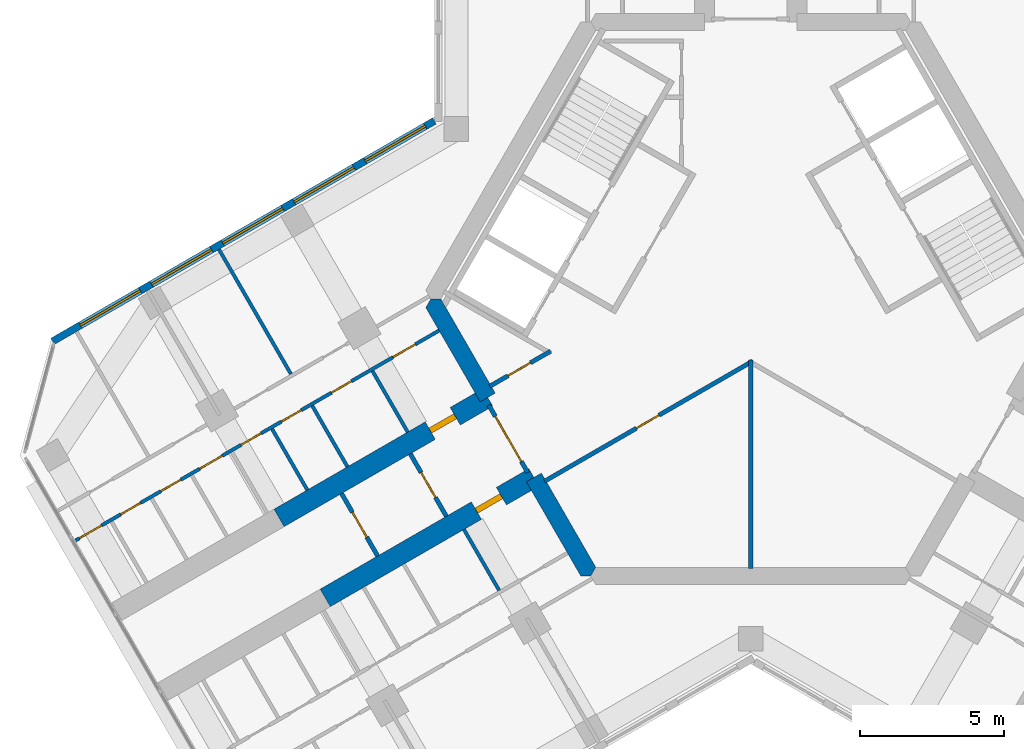
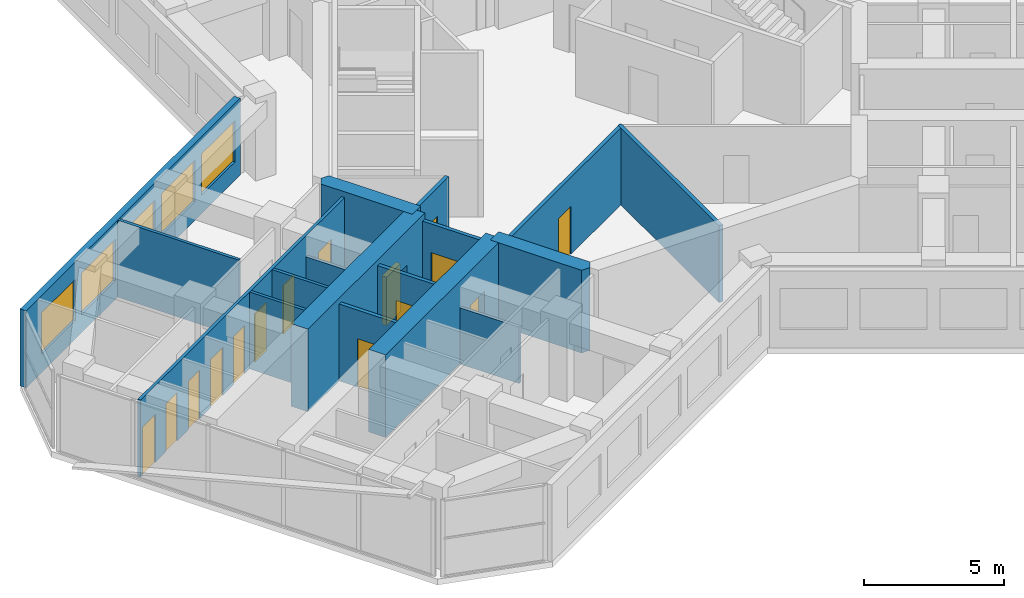
# One storey, part 9 of 16: 17 walls, 15 doors, 5 windows, 20 openings.
"""IFC4 building model written with IfcOpenShell, lengths in metres."""

from ifc_helpers import new_model, si_unit, direction, frame, frame_2d, origin, place, context, subcontext, project, spatial, polyline, rectangle, outline, extrude, material, layer, layer_set, type_object, element, fill, save


model = new_model("IFC4")

# Units and contexts
model_context = context("Model", 3, precision=1e-05, world=origin(), true_north=direction((0.0, 1.0)))
body_context = subcontext(model_context, "Body", "Model", "MODEL_VIEW")
ifc_project = project(units=[si_unit("LENGTHUNIT", "METRE"), si_unit("AREAUNIT", "SQUARE_METRE"), si_unit("VOLUMEUNIT", "CUBIC_METRE"), si_unit("PLANEANGLEUNIT", "RADIAN"), si_unit("MASSUNIT", "GRAM", prefix="KILO")], contexts=[model_context])

# Site, building, storey
site_placement = place(None, origin())
site = spatial("IfcSite", under=ifc_project, at=site_placement, CompositionType="ELEMENT")
building_placement = place(site_placement, origin())
building = spatial("IfcBuilding", under=site, at=building_placement, Name="Kosmar Iwan School Tower", CompositionType="ELEMENT")
storey_placement = place(building_placement, frame((0.0, 0.0, 246.0)))
storey = spatial("IfcBuildingStorey", under=building, at=storey_placement, Name="L62", CompositionType="ELEMENT", Elevation=246.0)

# Wall
ifc_material_1 = material(Name="Gypsum board on steel studs, fire-rated", Category="steel")
ifc_layer_1 = layer(ifc_material_1, 0.14990234375)
ifc_layer_set_1 = layer_set([ifc_layer_1], Name="Core room partition 150")
wall_type_1 = type_object("IfcWallType", Name="Core room partition 150", PredefinedType="PARTITIONING", material=ifc_layer_set_1)
wall_1_placement = place(storey_placement, frame((0.0, -9.344970703125, 0.0), z_axis=(0.0, 0.0, 1.0), x_axis=(0.0, 1.0, 0.0)))
element("IfcWall", 1, at=wall_1_placement, inside=storey, type_object=wall_type_1, Name="Core room partition L62-CW5", PredefinedType="PARTITIONING", context=body_context, shape_type="SweptSolid", body=[
    extrude(rectangle(XDim=7.22607421875, YDim=0.14990234375, at=frame_2d((3.613037109375, 0.0))), origin(), (0.0, 0.0, 1.0), 3.35009765625),
])

# Wall, opening, door
wall_2_placement = place(storey_placement, frame((-7.14306640625, -6.31787109375, 0.0), z_axis=(0.0, 0.0, 1.0), x_axis=(0.866034159509, 0.499984834333, 0.0)))
wall_2 = element("IfcWall", 2, at=wall_2_placement, inside=storey, type_object=wall_type_1, Name="Core room partition L62-CW7", PredefinedType="PARTITIONING", context=body_context, shape_type="SweptSolid", body=[
    extrude(rectangle(XDim=8.322998046875, YDim=0.14990234375, at=frame_2d((4.16162109375, 0.0))), origin(), (0.0, 0.0, 1.0), 3.35009765625),
])
opening_1_placement = place(wall_2_placement, frame((3.677001953125, 0.0, 0.0)))
opening_1 = element("IfcOpeningElement", 3, at=opening_1_placement, cuts=wall_2, Name="Opening D14", PredefinedType="OPENING", context=body_context, shape_type="SweptSolid", body=[
    extrude(rectangle(XDim=0.89990234375, YDim=2.10009765625, at=frame_2d((0.449951171875, 1.050048828125))), frame((0.0, 0.0869140625, 0.0), z_axis=(0.0, -1.0, 0.0), x_axis=(1.0, 0.0, 0.0)), (0.0, 0.0, 1.0), 0.173828125),
])
ifc_material_2 = material(Name="Timber fire door in steel frame", Category="steel")
door_type_1 = type_object("IfcDoorType", Name="Core room door 900x2100", OperationType="SINGLE_SWING_LEFT", PredefinedType="DOOR", material=ifc_material_2)
door_1_placement = place(opening_1_placement, origin())
door_1 = element("IfcDoor", 4, at=door_1_placement, inside=storey, type_object=door_type_1, Name="Parcel room door L62 4", OperationType="SINGLE_SWING_LEFT", OverallHeight=2.10009765625, OverallWidth=0.89990234375, PredefinedType="DOOR", context=body_context, shape_type="SweptSolid", body=[
    extrude(rectangle(XDim=0.89990234375, YDim=2.10009765625, at=frame_2d((0.449951171875, 1.050048828125))), frame((0.0, 0.02490234375, 0.0), z_axis=(0.0, -1.0, 0.0), x_axis=(1.0, 0.0, 0.0)), (0.0, 0.0, 1.0), 0.050048828125),
])
fill(opening_1, door_1)

wall_3_placement = place(storey_placement, frame((-6.93505859375, -1.81005859375, 0.0), z_axis=(0.0, 0.0, 1.0), x_axis=(-0.86601855109, -0.500011869027, 0.0)))
wall_3 = element("IfcWall", 5, at=wall_3_placement, inside=storey, type_object=wall_type_1, Name="Core room partition L62-CW9", PredefinedType="PARTITIONING", context=body_context, shape_type="SweptSolid", body=[
    extrude(rectangle(XDim=2.43408203125, YDim=0.14990234375, at=frame_2d((1.217041015625, 0.0))), origin(), (0.0, 0.0, 1.0), 3.35009765625),
])
opening_2_placement = place(wall_3_placement, frame((0.802001953125, 0.0, 0.0)))
opening_2 = element("IfcOpeningElement", 6, at=opening_2_placement, cuts=wall_3, Name="Opening D14", PredefinedType="OPENING", context=body_context, shape_type="SweptSolid", body=[
    extrude(rectangle(XDim=0.89990234375, YDim=2.10009765625, at=frame_2d((0.449951171875, 1.050048828125))), frame((0.0, 0.0869140625, 0.0), z_axis=(0.0, -1.0, 0.0), x_axis=(1.0, 0.0, 0.0)), (0.0, 0.0, 1.0), 0.173828125),
])
door_2_placement = place(opening_2_placement, origin())
door_2 = element("IfcDoor", 7, at=door_2_placement, inside=storey, type_object=door_type_1, Name="Housekeeping store door L62 5", OperationType="SINGLE_SWING_RIGHT", OverallHeight=2.10009765625, OverallWidth=0.89990234375, PredefinedType="DOOR", context=body_context, shape_type="SweptSolid", body=[
    extrude(rectangle(XDim=0.89990234375, YDim=2.10009765625, at=frame_2d((0.449951171875, 1.050048828125))), frame((0.0, 0.02490234375, 0.0), z_axis=(0.0, -1.0, 0.0), x_axis=(1.0, 0.0, 0.0)), (0.0, 0.0, 1.0), 0.050048828125),
])
fill(opening_2, door_2)

# Walls
ifc_material_3 = material(Name="Concrete C50/60", Category="concrete")
ifc_layer_2 = layer(ifc_material_3, 0.60009765625)
ifc_layer_set_2 = layer_set([ifc_layer_2], Name="Core wall 600")
wall_type_2 = type_object("IfcWallType", Name="Core wall 600", PredefinedType="SHEAR", material=ifc_layer_set_2)
wall_4_placement = place(storey_placement, origin())
element("IfcWall", 8, at=wall_4_placement, inside=storey, type_object=wall_type_2, Name="Core wall F210a", PredefinedType="SHEAR", context=body_context, shape_type="SweptSolid", body=[
    extrude(outline(polyline([(-9.37353515625, -3.564453125), (-8.85400390625, -3.264404296875), (-10.73876953125, 0.0), (-11.085205078125, 0.0), (-11.25830078125, -0.300048828125), (-9.37353515625, -3.564453125)])), origin(), (0.0, 0.0, 1.0), 3.60009765625),
])
wall_5_placement = place(storey_placement, origin())
element("IfcWall", 9, at=wall_5_placement, inside=storey, type_object=wall_type_2, Name="Core wall F210b", PredefinedType="SHEAR", context=body_context, shape_type="SweptSolid", body=[
    extrude(outline(polyline([(-5.888916015625, -9.60009765625), (-5.54248046875, -9.60009765625), (-5.369384765625, -9.300048828125), (-7.254150390625, -6.03564453125), (-7.773681640625, -6.335693359375), (-5.888916015625, -9.60009765625)])), origin(), (0.0, 0.0, 1.0), 3.60009765625),
])

# Wall, opening, door
ifc_material_4 = material(Name="Concrete C50/60", Category="concrete")
ifc_layer_3 = layer(ifc_material_4, 0.699951171875)
ifc_layer_set_3 = layer_set([ifc_layer_3], Name="Corridor buttress wall 700")
wall_type_3 = type_object("IfcWallType", Name="Corridor buttress wall 700", PredefinedType="SHEAR", material=ifc_layer_set_3)
wall_6_placement = place(storey_placement, frame((-7.513916015625, -6.185546875, 0.0), z_axis=(0.0, 0.0, 1.0), x_axis=(-0.866019549707, -0.500010139422, 0.0)))
wall_6 = element("IfcWall", 10, at=wall_6_placement, inside=storey, type_object=wall_type_3, Name="Corridor wall BL", PredefinedType="SHEAR", context=body_context, shape_type="SweptSolid", body=[
    extrude(rectangle(XDim=8.349853515625, YDim=0.699951171875, at=frame_2d((4.1748046875, 0.0))), origin(), (0.0, 0.0, 1.0), 3.60009765625),
])
opening_3_placement = place(wall_6_placement, frame((1.300048828125, 0.0, 0.0)))
opening_3 = element("IfcOpeningElement", 11, at=opening_3_placement, cuts=wall_6, Name="Opening D1", PredefinedType="OPENING", context=body_context, shape_type="SweptSolid", body=[
    extrude(rectangle(XDim=1.0, YDim=2.10009765625, at=frame_2d((0.5, 1.050048828125))), frame((0.0, 0.362060546875, 0.0), z_axis=(0.0, -1.0, 0.0), x_axis=(1.0, 0.0, 0.0)), (0.0, 0.0, 1.0), 0.723876953125),
])
ifc_material_5 = material(Name="Timber fire door in steel frame", Category="steel")
door_type_2 = type_object("IfcDoorType", Name="Flat entrance door 1000x2100", OperationType="SINGLE_SWING_LEFT", PredefinedType="DOOR", material=ifc_material_5)
door_3_placement = place(opening_3_placement, origin())
door_3 = element("IfcDoor", 12, at=door_3_placement, inside=storey, type_object=door_type_2, Name="Flat L62-BL1 entrance door", OperationType="SINGLE_SWING_RIGHT", OverallHeight=2.10009765625, OverallWidth=1.0, PredefinedType="DOOR", context=body_context, shape_type="SweptSolid", body=[
    extrude(rectangle(XDim=1.0, YDim=2.10009765625, at=frame_2d((0.5, 1.050048828125))), frame((0.0, 0.10009765625, 0.0), z_axis=(0.0, -1.0, 0.0), x_axis=(1.0, 0.0, 0.0)), (0.0, 0.0, 1.0), 0.199951171875),
])
fill(opening_3, door_3)

wall_7_placement = place(storey_placement, frame((-9.11376953125, -3.414306640625, 0.0), z_axis=(0.0, 0.0, 1.0), x_axis=(-0.866026859388, -0.499997478812, 0.0)))
wall_7 = element("IfcWall", 13, at=wall_7_placement, inside=storey, type_object=wall_type_3, Name="Corridor wall BR", PredefinedType="SHEAR", context=body_context, shape_type="SweptSolid", body=[
    extrude(rectangle(XDim=8.35009765625, YDim=0.699951171875, at=frame_2d((4.175048828125, 0.0))), origin(), (0.0, 0.0, 1.0), 3.60009765625),
])
opening_4_placement = place(wall_7_placement, frame((1.300048828125, 0.0, 0.0)))
opening_4 = element("IfcOpeningElement", 14, at=opening_4_placement, cuts=wall_7, Name="Opening D1", PredefinedType="OPENING", context=body_context, shape_type="SweptSolid", body=[
    extrude(rectangle(XDim=1.0, YDim=2.10009765625, at=frame_2d((0.5, 1.050048828125))), frame((0.0, 0.362060546875, 0.0), z_axis=(0.0, -1.0, 0.0), x_axis=(1.0, 0.0, 0.0)), (0.0, 0.0, 1.0), 0.723876953125),
])
door_4_placement = place(opening_4_placement, origin())
door_4 = element("IfcDoor", 15, at=door_4_placement, inside=storey, type_object=door_type_2, Name="Flat L62-BR1 entrance door", OperationType="SINGLE_SWING_RIGHT", OverallHeight=2.10009765625, OverallWidth=1.0, PredefinedType="DOOR", context=body_context, shape_type="SweptSolid", body=[
    extrude(rectangle(XDim=1.0, YDim=2.10009765625, at=frame_2d((0.5, 1.050048828125))), frame((0.0, 0.10009765625, 0.0), z_axis=(0.0, -1.0, 0.0), x_axis=(1.0, 0.0, 0.0)), (0.0, 0.0, 1.0), 0.199951171875),
])
fill(opening_4, door_4)

ifc_material_6 = material(Name="Gypsum board on steel studs, fire-rated", Category="steel")
ifc_layer_4 = layer(ifc_material_6, 0.14990234375)
ifc_layer_set_4 = layer_set([ifc_layer_4], Name="Corridor end wall 150")
wall_type_4 = type_object("IfcWallType", Name="Corridor end wall 150", PredefinedType="PARTITIONING", material=ifc_layer_set_4)
wall_8_placement = place(storey_placement, frame((-14.17822265625, -6.742431640625, 0.0), z_axis=(0.0, 0.0, 1.0), x_axis=(0.500004234368, -0.866022959057, 0.0)))
wall_8 = element("IfcWall", 16, at=wall_8_placement, inside=storey, type_object=wall_type_4, Name="Partition L62-B-CE", PredefinedType="PARTITIONING", context=body_context, shape_type="SweptSolid", body=[
    extrude(rectangle(XDim=2.5, YDim=0.14990234375, at=frame_2d((1.25, 0.0))), origin(), (0.0, 0.0, 1.0), 3.35009765625),
])
opening_5_placement = place(wall_8_placement, frame((0.75, 0.0, 0.0)))
opening_5 = element("IfcOpeningElement", 17, at=opening_5_placement, cuts=wall_8, Name="Opening D13", PredefinedType="OPENING", context=body_context, shape_type="SweptSolid", body=[
    extrude(rectangle(XDim=1.0, YDim=2.10009765625, at=frame_2d((0.5, 1.050048828125))), frame((0.0, 0.0869140625, 0.0), z_axis=(0.0, -1.0, 0.0), x_axis=(1.0, 0.0, 0.0)), (0.0, 0.0, 1.0), 0.173828125),
])
ifc_material_7 = material(Name="Timber fire door with vision panel", Category="wood")
door_type_3 = type_object("IfcDoorType", Name="Corridor end door 1000x2100", OperationType="SINGLE_SWING_LEFT", PredefinedType="DOOR", material=ifc_material_7)
door_5_placement = place(opening_5_placement, origin())
door_5 = element("IfcDoor", 18, at=door_5_placement, inside=storey, type_object=door_type_3, Name="Hobby workshop door L62-B", OperationType="SINGLE_SWING_LEFT", OverallHeight=2.10009765625, OverallWidth=1.0, PredefinedType="DOOR", context=body_context, shape_type="SweptSolid", body=[
    extrude(rectangle(XDim=1.0, YDim=2.10009765625, at=frame_2d((0.5, 1.050048828125))), frame((0.0, 0.02490234375, 0.0), z_axis=(0.0, -1.0, 0.0), x_axis=(1.0, 0.0, 0.0)), (0.0, 0.0, 1.0), 0.050048828125),
])
fill(opening_5, door_5)

wall_9_placement = place(storey_placement, frame((-11.796630859375, -5.367431640625, 0.0), z_axis=(0.0, 0.0, 1.0), x_axis=(0.500004234368, -0.866022959057, 0.0)))
wall_9 = element("IfcWall", 19, at=wall_9_placement, inside=storey, type_object=wall_type_4, Name="Partition L62-B-HW", PredefinedType="PARTITIONING", context=body_context, shape_type="SweptSolid", body=[
    extrude(rectangle(XDim=2.5, YDim=0.14990234375, at=frame_2d((1.25, 0.0))), origin(), (0.0, 0.0, 1.0), 3.35009765625),
])
opening_6_placement = place(wall_9_placement, frame((0.75, 0.0, 0.0)))
opening_6 = element("IfcOpeningElement", 20, at=opening_6_placement, cuts=wall_9, Name="Opening D13", PredefinedType="OPENING", context=body_context, shape_type="SweptSolid", body=[
    extrude(rectangle(XDim=1.0, YDim=2.10009765625, at=frame_2d((0.5, 1.050048828125))), frame((0.0, 0.0869140625, 0.0), z_axis=(0.0, -1.0, 0.0), x_axis=(1.0, 0.0, 0.0)), (0.0, 0.0, 1.0), 0.173828125),
])
door_6_placement = place(opening_6_placement, origin())
door_6 = element("IfcDoor", 21, at=door_6_placement, inside=storey, type_object=door_type_3, Name="Entrance door L62-B", OperationType="SINGLE_SWING_RIGHT", OverallHeight=2.10009765625, OverallWidth=1.0, PredefinedType="DOOR", context=body_context, shape_type="SweptSolid", body=[
    extrude(rectangle(XDim=1.0, YDim=2.10009765625, at=frame_2d((0.5, 1.050048828125))), frame((0.0, 0.02490234375, 0.0), z_axis=(0.0, -1.0, 0.0), x_axis=(1.0, 0.0, 0.0)), (0.0, 0.0, 1.0), 0.050048828125),
])
fill(opening_6, door_6)

ifc_material_8 = material(Name="Steel framed glazed screen", Category="steel")
ifc_layer_5 = layer(ifc_material_8, 0.14990234375)
ifc_layer_set_5 = layer_set([ifc_layer_5], Name="Corridor screen wall 150")
wall_type_5 = type_object("IfcWallType", Name="Corridor screen wall 150", PredefinedType="PARTITIONING", material=ifc_layer_set_5)
wall_10_placement = place(storey_placement, frame((-9.075439453125, -3.680908203125, 0.0), z_axis=(0.0, 0.0, 1.0), x_axis=(0.500048589285, -0.86599734893, 0.0)))
wall_10 = element("IfcWall", 22, at=wall_10_placement, inside=storey, type_object=wall_type_5, Name="Corridor screen B L62", PredefinedType="PARTITIONING", context=body_context, shape_type="SweptSolid", body=[
    extrude(rectangle(XDim=2.699951171875, YDim=0.14990234375, at=frame_2d((1.35009765625, 0.0))), origin(), (0.0, 0.0, 1.0), 3.35009765625),
])
opening_7_placement = place(wall_10_placement, frame((0.449951171875, 0.0, 0.0)))
opening_7 = element("IfcOpeningElement", 23, at=opening_7_placement, cuts=wall_10, Name="Opening D9", PredefinedType="OPENING", context=body_context, shape_type="SweptSolid", body=[
    extrude(rectangle(XDim=1.800048828125, YDim=2.10009765625, at=frame_2d((0.89990234375, 1.050048828125))), frame((0.0, 0.0869140625, 0.0), z_axis=(0.0, -1.0, 0.0), x_axis=(1.0, 0.0, 0.0)), (0.0, 0.0, 1.0), 0.173828125),
])
ifc_material_9 = material(Name="Steel framed glazed smoke door", Category="steel")
door_type_4 = type_object("IfcDoorType", Name="Corridor smoke door pair 1800x2100", OperationType="DOUBLE_DOOR_DOUBLE_SWING", PredefinedType="DOOR", material=ifc_material_9)
door_7_placement = place(opening_7_placement, origin())
door_7 = element("IfcDoor", 24, at=door_7_placement, inside=storey, type_object=door_type_4, Name="Corridor doors B L62", OperationType="DOUBLE_DOOR_DOUBLE_SWING", OverallHeight=2.10009765625, OverallWidth=1.800048828125, PredefinedType="DOOR", context=body_context, shape_type="SweptSolid", body=[
    extrude(rectangle(XDim=1.800048828125, YDim=2.10009765625, at=frame_2d((0.89990234375, 1.050048828125))), frame((0.0, 0.02490234375, 0.0), z_axis=(0.0, -1.0, 0.0), x_axis=(1.0, 0.0, 0.0)), (0.0, 0.0, 1.0), 0.050048828125),
])
fill(opening_7, door_7)

# Wall
ifc_material_10 = material(Name="Gypsum board on steel studs", Category="steel")
ifc_layer_6 = layer(ifc_material_10, 0.1201171875)
ifc_layer_set_6 = layer_set([ifc_layer_6], Name="Dwelling partition 120")
wall_type_6 = type_object("IfcWallType", Name="Dwelling partition 120", PredefinedType="PARTITIONING", material=ifc_layer_set_6)
wall_11_placement = place(storey_placement, frame((-9.93701171875, -7.98876953125, 0.0), z_axis=(0.0, 0.0, 1.0), x_axis=(0.500077547548, -0.865980627057, 0.0)))
element("IfcWall", 25, at=wall_11_placement, inside=storey, type_object=wall_type_6, Name="Partition L62-BL1-Y1", PredefinedType="PARTITIONING", context=body_context, shape_type="SweptSolid", body=[
    extrude(rectangle(XDim=2.43994140625, YDim=0.1201171875, at=frame_2d((1.219970703125, 0.0))), origin(), (0.0, 0.0, 1.0), 2.449951171875),
])

# Wall, openings, doors
wall_12_placement = place(storey_placement, frame((-10.798583984375, -1.09619140625, 0.0), z_axis=(0.0, 0.0, 1.0), x_axis=(-0.866028217562, -0.499995126363, 0.0)))
wall_12 = element("IfcWall", 26, at=wall_12_placement, inside=storey, type_object=wall_type_6, Name="Partition L62-BR1-W1", PredefinedType="PARTITIONING", context=body_context, shape_type="SweptSolid", body=[
    extrude(rectangle(XDim=14.545166015625, YDim=0.1201171875, at=frame_2d((7.2724609375, 0.0))), origin(), (0.0, 0.0, 1.0), 3.35009765625),
])
opening_8_placement = place(wall_12_placement, frame((0.949951171875, 0.0, 0.0)))
opening_8 = element("IfcOpeningElement", 27, at=opening_8_placement, cuts=wall_12, Name="Opening D2", PredefinedType="OPENING", context=body_context, shape_type="SweptSolid", body=[
    extrude(rectangle(XDim=0.89990234375, YDim=2.10009765625, at=frame_2d((0.449951171875, 1.050048828125))), frame((0.0, 0.072021484375, 0.0), z_axis=(0.0, -1.0, 0.0), x_axis=(1.0, 0.0, 0.0)), (0.0, 0.0, 1.0), 0.14404296875),
])
opening_9_placement = place(wall_12_placement, frame((3.505126953125, 0.0, 0.0)))
opening_9 = element("IfcOpeningElement", 28, at=opening_9_placement, cuts=wall_12, Name="Opening D3", PredefinedType="OPENING", context=body_context, shape_type="SweptSolid", body=[
    extrude(rectangle(XDim=0.800048828125, YDim=2.10009765625, at=frame_2d((0.39990234375, 1.050048828125))), frame((0.0, 0.072021484375, 0.0), z_axis=(0.0, -1.0, 0.0), x_axis=(1.0, 0.0, 0.0)), (0.0, 0.0, 1.0), 0.14404296875),
])
opening_10_placement = place(wall_12_placement, frame((5.513427734375, 0.0, 0.0)))
opening_10 = element("IfcOpeningElement", 29, at=opening_10_placement, cuts=wall_12, Name="Opening D3", PredefinedType="OPENING", context=body_context, shape_type="SweptSolid", body=[
    extrude(rectangle(XDim=0.800048828125, YDim=2.10009765625, at=frame_2d((0.39990234375, 1.050048828125))), frame((0.0, 0.072021484375, 0.0), z_axis=(0.0, -1.0, 0.0), x_axis=(1.0, 0.0, 0.0)), (0.0, 0.0, 1.0), 0.14404296875),
])
opening_11_placement = place(wall_12_placement, frame((7.1201171875, 0.0, 0.0)))
opening_11 = element("IfcOpeningElement", 30, at=opening_11_placement, cuts=wall_12, Name="Opening D3", PredefinedType="OPENING", context=body_context, shape_type="SweptSolid", body=[
    extrude(rectangle(XDim=0.800048828125, YDim=2.10009765625, at=frame_2d((0.39990234375, 1.050048828125))), frame((0.0, 0.072021484375, 0.0), z_axis=(0.0, -1.0, 0.0), x_axis=(1.0, 0.0, 0.0)), (0.0, 0.0, 1.0), 0.14404296875),
])
opening_12_placement = place(wall_12_placement, frame((8.6767578125, 0.0, 0.0)))
opening_12 = element("IfcOpeningElement", 31, at=opening_12_placement, cuts=wall_12, Name="Opening D2", PredefinedType="OPENING", context=body_context, shape_type="SweptSolid", body=[
    extrude(rectangle(XDim=0.89990234375, YDim=2.10009765625, at=frame_2d((0.449951171875, 1.050048828125))), frame((0.0, 0.072021484375, 0.0), z_axis=(0.0, -1.0, 0.0), x_axis=(1.0, 0.0, 0.0)), (0.0, 0.0, 1.0), 0.14404296875),
])
opening_13_placement = place(wall_12_placement, frame((10.333251953125, 0.0, 0.0)))
opening_13 = element("IfcOpeningElement", 32, at=opening_13_placement, cuts=wall_12, Name="Opening D3", PredefinedType="OPENING", context=body_context, shape_type="SweptSolid", body=[
    extrude(rectangle(XDim=0.800048828125, YDim=2.10009765625, at=frame_2d((0.39990234375, 1.050048828125))), frame((0.0, 0.072021484375, 0.0), z_axis=(0.0, -1.0, 0.0), x_axis=(1.0, 0.0, 0.0)), (0.0, 0.0, 1.0), 0.14404296875),
])
opening_14_placement = place(wall_12_placement, frame((11.93994140625, 0.0, 0.0)))
opening_14 = element("IfcOpeningElement", 33, at=opening_14_placement, cuts=wall_12, Name="Opening D3", PredefinedType="OPENING", context=body_context, shape_type="SweptSolid", body=[
    extrude(rectangle(XDim=0.800048828125, YDim=2.10009765625, at=frame_2d((0.39990234375, 1.050048828125))), frame((0.0, 0.072021484375, 0.0), z_axis=(0.0, -1.0, 0.0), x_axis=(1.0, 0.0, 0.0)), (0.0, 0.0, 1.0), 0.14404296875),
])
opening_15_placement = place(wall_12_placement, frame((13.49658203125, 0.0, 0.0)))
opening_15 = element("IfcOpeningElement", 34, at=opening_15_placement, cuts=wall_12, Name="Opening D2", PredefinedType="OPENING", context=body_context, shape_type="SweptSolid", body=[
    extrude(rectangle(XDim=0.89990234375, YDim=2.10009765625, at=frame_2d((0.449951171875, 1.050048828125))), frame((0.0, 0.072021484375, 0.0), z_axis=(0.0, -1.0, 0.0), x_axis=(1.0, 0.0, 0.0)), (0.0, 0.0, 1.0), 0.14404296875),
])
ifc_material_11 = material(Name="Timber door in timber frame", Category="wood")
door_type_5 = type_object("IfcDoorType", Name="Internal door 900x2100", OperationType="SINGLE_SWING_LEFT", PredefinedType="DOOR", material=ifc_material_11)
door_8_placement = place(opening_8_placement, origin())
door_8 = element("IfcDoor", 35, at=door_8_placement, inside=storey, type_object=door_type_5, Name="Entrance hall door L62-BR1-S1", OperationType="SINGLE_SWING_RIGHT", OverallHeight=2.10009765625, OverallWidth=0.89990234375, PredefinedType="DOOR", context=body_context, shape_type="SweptSolid", body=[
    extrude(rectangle(XDim=0.89990234375, YDim=2.10009765625, at=frame_2d((0.449951171875, 1.050048828125))), frame((0.0, 0.02490234375, 0.0), z_axis=(0.0, -1.0, 0.0), x_axis=(1.0, 0.0, 0.0)), (0.0, 0.0, 1.0), 0.050048828125),
])
fill(opening_8, door_8)
door_9_placement = place(opening_12_placement, origin())
door_9 = element("IfcDoor", 36, at=door_9_placement, inside=storey, type_object=door_type_5, Name="Pantry door L62-BR1-S5", OperationType="SINGLE_SWING_RIGHT", OverallHeight=2.10009765625, OverallWidth=0.89990234375, PredefinedType="DOOR", context=body_context, shape_type="SweptSolid", body=[
    extrude(rectangle(XDim=0.89990234375, YDim=2.10009765625, at=frame_2d((0.449951171875, 1.050048828125))), frame((0.0, 0.02490234375, 0.0), z_axis=(0.0, -1.0, 0.0), x_axis=(1.0, 0.0, 0.0)), (0.0, 0.0, 1.0), 0.050048828125),
])
fill(opening_12, door_9)
door_10_placement = place(opening_15_placement, origin())
door_10 = element("IfcDoor", 37, at=door_10_placement, inside=storey, type_object=door_type_5, Name="Utility room door L62-BR1-S8", OperationType="SINGLE_SWING_RIGHT", OverallHeight=2.10009765625, OverallWidth=0.89990234375, PredefinedType="DOOR", context=body_context, shape_type="SweptSolid", body=[
    extrude(rectangle(XDim=0.89990234375, YDim=2.10009765625, at=frame_2d((0.449951171875, 1.050048828125))), frame((0.0, 0.02490234375, 0.0), z_axis=(0.0, -1.0, 0.0), x_axis=(1.0, 0.0, 0.0)), (0.0, 0.0, 1.0), 0.050048828125),
])
fill(opening_15, door_10)
ifc_material_12 = material(Name="Timber door in timber frame", Category="wood")
door_type_6 = type_object("IfcDoorType", Name="Sanitary room door 800x2100", OperationType="SINGLE_SWING_LEFT", PredefinedType="DOOR", material=ifc_material_12)
door_11_placement = place(opening_9_placement, origin())
door_11 = element("IfcDoor", 38, at=door_11_placement, inside=storey, type_object=door_type_6, Name="Bathroom door L62-BR1-S2", OperationType="SINGLE_SWING_LEFT", OverallHeight=2.10009765625, OverallWidth=0.800048828125, PredefinedType="DOOR", context=body_context, shape_type="SweptSolid", body=[
    extrude(rectangle(XDim=0.800048828125, YDim=2.10009765625, at=frame_2d((0.39990234375, 1.050048828125))), frame((0.0, 0.02490234375, 0.0), z_axis=(0.0, -1.0, 0.0), x_axis=(1.0, 0.0, 0.0)), (0.0, 0.0, 1.0), 0.050048828125),
])
fill(opening_9, door_11)
door_12_placement = place(opening_10_placement, origin())
door_12 = element("IfcDoor", 39, at=door_12_placement, inside=storey, type_object=door_type_6, Name="Grandparents' shower room door L62-BR1-S3", OperationType="SINGLE_SWING_RIGHT", OverallHeight=2.10009765625, OverallWidth=0.800048828125, PredefinedType="DOOR", context=body_context, shape_type="SweptSolid", body=[
    extrude(rectangle(XDim=0.800048828125, YDim=2.10009765625, at=frame_2d((0.39990234375, 1.050048828125))), frame((0.0, 0.02490234375, 0.0), z_axis=(0.0, -1.0, 0.0), x_axis=(1.0, 0.0, 0.0)), (0.0, 0.0, 1.0), 0.050048828125),
])
fill(opening_10, door_12)
door_13_placement = place(opening_11_placement, origin())
door_13 = element("IfcDoor", 40, at=door_13_placement, inside=storey, type_object=door_type_6, Name="Shower room door L62-BR1-S4", OperationType="SINGLE_SWING_LEFT", OverallHeight=2.10009765625, OverallWidth=0.800048828125, PredefinedType="DOOR", context=body_context, shape_type="SweptSolid", body=[
    extrude(rectangle(XDim=0.800048828125, YDim=2.10009765625, at=frame_2d((0.39990234375, 1.050048828125))), frame((0.0, 0.02490234375, 0.0), z_axis=(0.0, -1.0, 0.0), x_axis=(1.0, 0.0, 0.0)), (0.0, 0.0, 1.0), 0.050048828125),
])
fill(opening_11, door_13)
door_14_placement = place(opening_13_placement, origin())
door_14 = element("IfcDoor", 41, at=door_14_placement, inside=storey, type_object=door_type_6, Name="WC door L62-BR1-S6", OperationType="SINGLE_SWING_LEFT", OverallHeight=2.10009765625, OverallWidth=0.800048828125, PredefinedType="DOOR", context=body_context, shape_type="SweptSolid", body=[
    extrude(rectangle(XDim=0.800048828125, YDim=2.10009765625, at=frame_2d((0.39990234375, 1.050048828125))), frame((0.0, 0.02490234375, 0.0), z_axis=(0.0, -1.0, 0.0), x_axis=(1.0, 0.0, 0.0)), (0.0, 0.0, 1.0), 0.050048828125),
])
fill(opening_13, door_14)
door_15_placement = place(opening_14_placement, origin())
door_15 = element("IfcDoor", 42, at=door_15_placement, inside=storey, type_object=door_type_6, Name="Store door L62-BR1-S7", OperationType="SINGLE_SWING_RIGHT", OverallHeight=2.10009765625, OverallWidth=0.800048828125, PredefinedType="DOOR", context=body_context, shape_type="SweptSolid", body=[
    extrude(rectangle(XDim=0.800048828125, YDim=2.10009765625, at=frame_2d((0.39990234375, 1.050048828125))), frame((0.0, 0.02490234375, 0.0), z_axis=(0.0, -1.0, 0.0), x_axis=(1.0, 0.0, 0.0)), (0.0, 0.0, 1.0), 0.050048828125),
])
fill(opening_14, door_15)

# Walls
wall_13_placement = place(storey_placement, frame((-15.931884765625, -2.60498046875, 0.0), z_axis=(0.0, 0.0, 1.0), x_axis=(-0.500011847778, 0.866018563358, 0.0)))
element("IfcWall", 43, at=wall_13_placement, inside=storey, type_object=wall_type_6, Name="Partition L62-BR1-X1", PredefinedType="PARTITIONING", context=body_context, shape_type="SweptSolid", body=[
    extrude(rectangle(XDim=4.990234375, YDim=0.1201171875, at=frame_2d((2.4951171875, 0.0))), origin(), (0.0, 0.0, 1.0), 3.35009765625),
])
wall_14_placement = place(storey_placement, frame((-11.886962890625, -4.611328125, 0.0), z_axis=(0.0, 0.0, 1.0), x_axis=(-0.499959183527, 0.866048967903, 0.0)))
element("IfcWall", 44, at=wall_14_placement, inside=storey, type_object=wall_type_6, Name="Partition L62-BR1-Y1", PredefinedType="PARTITIONING", context=body_context, shape_type="SweptSolid", body=[
    extrude(rectangle(XDim=2.440185546875, YDim=0.1201171875, at=frame_2d((1.22021484375, 0.0))), origin(), (0.0, 0.0, 1.0), 2.449951171875),
])
for number, where, z_axis, x_axis, name in (
    (45, (-13.97412109375, -5.816162109375, 0.0), (0.0, 0.0, 1.0), (-0.500002508028, 0.866023955769, 0.0), "Partition L62-BR1-Y2"),
    (46, (-15.365478515625, -6.61962890625, 0.0), (0.0, 0.0, 1.0), (-0.500002508028, 0.866023955769, 0.0), "Partition L62-BR1-Y3"),
):
    element("IfcWall", number, at=place(storey_placement, frame(where, z_axis=z_axis, x_axis=x_axis)), inside=storey, type_object=wall_type_6, Name=name, PredefinedType="PARTITIONING", context=body_context, shape_type="SweptSolid", body=[
        extrude(rectangle(XDim=2.43994140625, YDim=0.1201171875, at=frame_2d((1.219970703125, 0.0))), origin(), (0.0, 0.0, 1.0), 3.35009765625),
    ])

# Wall, openings, windows
ifc_material_13 = material(Name="Black aluminium rainscreen on insulated framing", Category="aluminium")
ifc_layer_7 = layer(ifc_material_13, 0.25)
ifc_layer_set_7 = layer_set([ifc_layer_7], Name="External wall rainscreen 250")
wall_type_7 = type_object("IfcWallType", Name="External wall rainscreen 250", PredefinedType="SOLIDWALL", material=ifc_layer_set_7)
wall_15_placement = place(storey_placement, frame((-10.962890625, 6.170166015625, 0.0), z_axis=(0.0, 0.0, 1.0), x_axis=(-0.866025637253, -0.499999595621, 0.0)))
wall_15 = element("IfcWall", 47, at=wall_15_placement, inside=storey, type_object=wall_type_7, Name="External wall BR L62", PredefinedType="SOLIDWALL", context=body_context, shape_type="SweptSolid", body=[
    extrude(rectangle(XDim=15.2763671875, YDim=0.25, at=frame_2d((7.63818359375, 0.0))), origin(), (0.0, 0.0, 1.0), 3.35009765625),
])
opening_16_placement = place(wall_15_placement, frame((0.365966796875, 0.0, 0.800048828125)))
opening_16 = element("IfcOpeningElement", 48, at=opening_16_placement, cuts=wall_15, Name="Opening W5", PredefinedType="OPENING", context=body_context, shape_type="SweptSolid", body=[
    extrude(rectangle(XDim=2.39990234375, YDim=1.800048828125, at=frame_2d((1.199951171875, 0.89990234375))), frame((0.0, 0.136962890625, 0.0), z_axis=(0.0, -1.0, 0.0), x_axis=(1.0, 0.0, 0.0)), (0.0, 0.0, 1.0), 0.27392578125),
])
opening_17_placement = place(wall_15_placement, frame((3.216064453125, 0.0, 0.800048828125)))
opening_17 = element("IfcOpeningElement", 49, at=opening_17_placement, cuts=wall_15, Name="Opening W5", PredefinedType="OPENING", context=body_context, shape_type="SweptSolid", body=[
    extrude(rectangle(XDim=2.39990234375, YDim=1.800048828125, at=frame_2d((1.199951171875, 0.89990234375))), frame((0.0, 0.136962890625, 0.0), z_axis=(0.0, -1.0, 0.0), x_axis=(1.0, 0.0, 0.0)), (0.0, 0.0, 1.0), 0.27392578125),
])
opening_18_placement = place(wall_15_placement, frame((6.06591796875, 0.0, 0.800048828125)))
opening_18 = element("IfcOpeningElement", 50, at=opening_18_placement, cuts=wall_15, Name="Opening W5", PredefinedType="OPENING", context=body_context, shape_type="SweptSolid", body=[
    extrude(rectangle(XDim=2.39990234375, YDim=1.800048828125, at=frame_2d((1.199951171875, 0.89990234375))), frame((0.0, 0.136962890625, 0.0), z_axis=(0.0, -1.0, 0.0), x_axis=(1.0, 0.0, 0.0)), (0.0, 0.0, 1.0), 0.27392578125),
])
opening_19_placement = place(wall_15_placement, frame((8.916015625, 0.0, 0.800048828125)))
opening_19 = element("IfcOpeningElement", 51, at=opening_19_placement, cuts=wall_15, Name="Opening W5", PredefinedType="OPENING", context=body_context, shape_type="SweptSolid", body=[
    extrude(rectangle(XDim=2.39990234375, YDim=1.800048828125, at=frame_2d((1.199951171875, 0.89990234375))), frame((0.0, 0.136962890625, 0.0), z_axis=(0.0, -1.0, 0.0), x_axis=(1.0, 0.0, 0.0)), (0.0, 0.0, 1.0), 0.27392578125),
])
opening_20_placement = place(wall_15_placement, frame((11.76611328125, 0.0, 0.800048828125)))
opening_20 = element("IfcOpeningElement", 52, at=opening_20_placement, cuts=wall_15, Name="Opening W5", PredefinedType="OPENING", context=body_context, shape_type="SweptSolid", body=[
    extrude(rectangle(XDim=2.39990234375, YDim=1.800048828125, at=frame_2d((1.199951171875, 0.89990234375))), frame((0.0, 0.136962890625, 0.0), z_axis=(0.0, -1.0, 0.0), x_axis=(1.0, 0.0, 0.0)), (0.0, 0.0, 1.0), 0.27392578125),
])
ifc_material_14 = material(Name="Black aluminium frame with dark triple glazing", Category="aluminium")
window_type = type_object("IfcWindowType", Name="Window 2400x1800", PartitioningType="SINGLE_PANEL", PredefinedType="WINDOW", material=ifc_material_14)
window_1_placement = place(opening_16_placement, origin())
window_1 = element("IfcWindow", 53, at=window_1_placement, inside=storey, type_object=window_type, Name="Window BR L62 -1", OverallHeight=1.800048828125, OverallWidth=2.39990234375, PartitioningType="SINGLE_PANEL", PredefinedType="WINDOW", context=body_context, shape_type="SweptSolid", body=[
    extrude(rectangle(XDim=2.39990234375, YDim=1.800048828125, at=frame_2d((1.199951171875, 0.89990234375))), frame((0.0, 0.030029296875, 0.0), z_axis=(0.0, -1.0, 0.0), x_axis=(1.0, 0.0, 0.0)), (0.0, 0.0, 1.0), 0.06005859375),
])
fill(opening_16, window_1)
window_2_placement = place(opening_17_placement, origin())
window_2 = element("IfcWindow", 54, at=window_2_placement, inside=storey, type_object=window_type, Name="Window BR L62 0", OverallHeight=1.800048828125, OverallWidth=2.39990234375, PartitioningType="SINGLE_PANEL", PredefinedType="WINDOW", context=body_context, shape_type="SweptSolid", body=[
    extrude(rectangle(XDim=2.39990234375, YDim=1.800048828125, at=frame_2d((1.199951171875, 0.89990234375))), frame((0.0, 0.030029296875, 0.0), z_axis=(0.0, -1.0, 0.0), x_axis=(1.0, 0.0, 0.0)), (0.0, 0.0, 1.0), 0.06005859375),
])
fill(opening_17, window_2)
window_3_placement = place(opening_18_placement, origin())
window_3 = element("IfcWindow", 55, at=window_3_placement, inside=storey, type_object=window_type, Name="Window BR L62 1", OverallHeight=1.800048828125, OverallWidth=2.39990234375, PartitioningType="SINGLE_PANEL", PredefinedType="WINDOW", context=body_context, shape_type="SweptSolid", body=[
    extrude(rectangle(XDim=2.39990234375, YDim=1.800048828125, at=frame_2d((1.199951171875, 0.89990234375))), frame((0.0, 0.030029296875, 0.0), z_axis=(0.0, -1.0, 0.0), x_axis=(1.0, 0.0, 0.0)), (0.0, 0.0, 1.0), 0.06005859375),
])
fill(opening_18, window_3)
window_4_placement = place(opening_19_placement, origin())
window_4 = element("IfcWindow", 56, at=window_4_placement, inside=storey, type_object=window_type, Name="Window BR L62 2", OverallHeight=1.800048828125, OverallWidth=2.39990234375, PartitioningType="SINGLE_PANEL", PredefinedType="WINDOW", context=body_context, shape_type="SweptSolid", body=[
    extrude(rectangle(XDim=2.39990234375, YDim=1.800048828125, at=frame_2d((1.199951171875, 0.89990234375))), frame((0.0, 0.030029296875, 0.0), z_axis=(0.0, -1.0, 0.0), x_axis=(1.0, 0.0, 0.0)), (0.0, 0.0, 1.0), 0.06005859375),
])
fill(opening_19, window_4)
window_5_placement = place(opening_20_placement, origin())
window_5 = element("IfcWindow", 57, at=window_5_placement, inside=storey, type_object=window_type, Name="Window BR L62 3", OverallHeight=1.800048828125, OverallWidth=2.39990234375, PartitioningType="SINGLE_PANEL", PredefinedType="WINDOW", context=body_context, shape_type="SweptSolid", body=[
    extrude(rectangle(XDim=2.39990234375, YDim=1.800048828125, at=frame_2d((1.199951171875, 0.89990234375))), frame((0.0, 0.030029296875, 0.0), z_axis=(0.0, -1.0, 0.0), x_axis=(1.0, 0.0, 0.0)), (0.0, 0.0, 1.0), 0.06005859375),
])
fill(opening_20, window_5)

save(model, "model.ifc")
